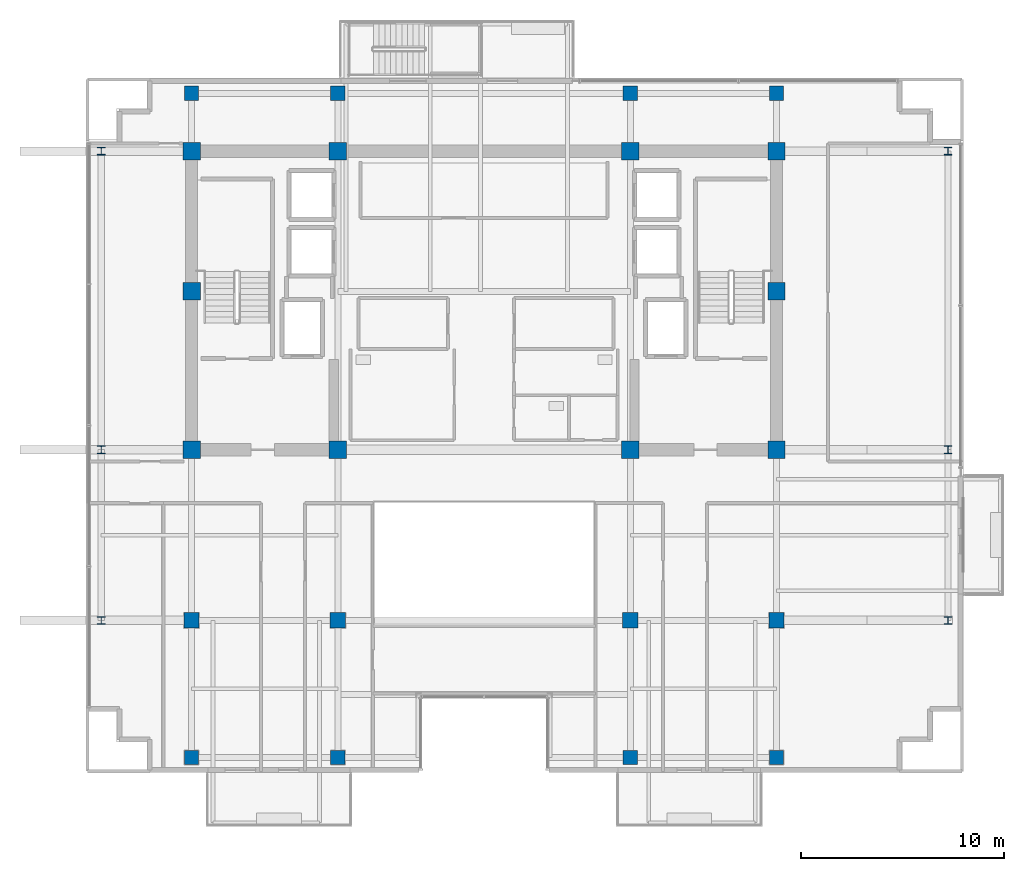
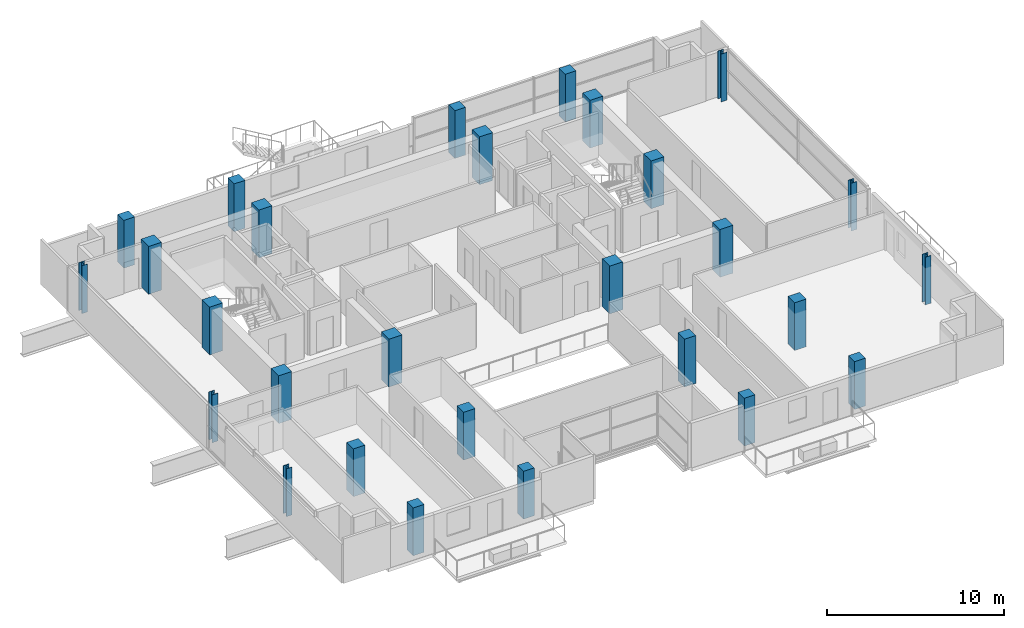
# One storey, part 1 of 23: 28 columns.
"""IFC4 building model written with IfcOpenShell, lengths in metres."""

from ifc_helpers import new_model, si_unit, direction, frame, origin, origin_2d, place, context, subcontext, project, spatial, rectangle, i_section, extrude, material, material_profile, profile_set, type_object, element, save


model = new_model("IFC4")

# Units and contexts
model_context = context("Model", 3, precision=1e-05, world=origin(), true_north=direction((0.0, 1.0)))
body_context = subcontext(model_context, "Body", "Model", "MODEL_VIEW")
ifc_project = project(units=[si_unit("LENGTHUNIT", "METRE"), si_unit("AREAUNIT", "SQUARE_METRE"), si_unit("VOLUMEUNIT", "CUBIC_METRE"), si_unit("PLANEANGLEUNIT", "RADIAN"), si_unit("MASSUNIT", "GRAM", prefix="KILO")], contexts=[model_context])

# Site, building, storey
site_placement = place(None, origin())
site = spatial("IfcSite", under=ifc_project, at=site_placement, CompositionType="ELEMENT")
building_placement = place(site_placement, origin())
building = spatial("IfcBuilding", under=site, at=building_placement, Name="Zarnakvel Exchange Tower", CompositionType="ELEMENT")
storey_placement = place(building_placement, frame((0.0, 0.0, 232.0)))
storey = spatial("IfcBuildingStorey", under=building, at=storey_placement, Name="L65", CompositionType="ELEMENT", Elevation=232.0)

# Columns
ifc_material_1 = material(Name="Concrete C50/60", Category="concrete")
ifc_material_profile_1 = material_profile(ifc_material_1, rectangle(XDim=0.85009765625, YDim=0.85009765625, at=origin_2d()))
ifc_profile_set_1 = profile_set([ifc_material_profile_1], Name="Concrete C50/60")
column_type_1 = type_object("IfcColumnType", Name="CC-03", PredefinedType="COLUMN", material=ifc_profile_set_1)
for number, where, z_axis, x_axis, name in (
    (1, (-14.39990234375, -1.199951171875, 0.0), (0.0, 0.0, 1.0), (1.0, 0.0, 0.0), "L65 Column C-4D (CC-03)"),
    (2, (-7.199951171875, -1.199951171875, 0.0), (0.0, 0.0, 1.0), (1.0, 0.0, 0.0), "L65 Column C-5D (CC-03)"),
    (3, (7.199951171875, -1.199951171875, 0.0), (0.0, 0.0, 1.0), (1.0, 0.0, 0.0), "L65 Column C-8D (CC-03)"),
    (4, (14.39990234375, -1.199951171875, 0.0), (0.0, 0.0, 1.0), (1.0, 0.0, 0.0), "L65 Column C-9D (CC-03)"),
    (5, (-14.39990234375, 6.60009765625, 0.0), (0.0, 0.0, 1.0), (1.0, 0.0, 0.0), "L65 Column C-4E (CC-03)"),
    (6, (14.39990234375, 6.60009765625, 0.0), (0.0, 0.0, 1.0), (1.0, 0.0, 0.0), "L65 Column C-9E (CC-03)"),
    (7, (-14.39990234375, 13.5, 0.0), (0.0, 0.0, 1.0), (1.0, 0.0, 0.0), "L65 Column C-4F (CC-03)"),
    (8, (-7.199951171875, 13.5, 0.0), (0.0, 0.0, 1.0), (1.0, 0.0, 0.0), "L65 Column C-5F (CC-03)"),
    (9, (7.199951171875, 13.5, 0.0), (0.0, 0.0, 1.0), (1.0, 0.0, 0.0), "L65 Column C-8F (CC-03)"),
    (10, (14.39990234375, 13.5, 0.0), (0.0, 0.0, 1.0), (1.0, 0.0, 0.0), "L65 Column C-9F (CC-03)"),
):
    element("IfcColumn", number, at=place(storey_placement, frame(where, z_axis=z_axis, x_axis=x_axis)), inside=storey, type_object=column_type_1, Name=name, PredefinedType="COLUMN", context=body_context, shape_type="SweptSolid", body=[
        extrude(rectangle(XDim=0.85009765625, YDim=0.85009765625, at=origin_2d()), origin(), (0.0, 0.0, 1.0), 3.300048828125),
    ])
ifc_material_2 = material(Name="Steel S355", Category="steel")
ifc_material_profile_2 = material_profile(ifc_material_2, i_section(OverallWidth=0.374755859375, OverallDepth=0.37451171875, WebThickness=0.0166015625, FlangeThickness=0.027099609375, FilletRadius=0.01513671875, at=origin_2d()))
ifc_profile_set_2 = profile_set([ifc_material_profile_2], Name="Steel S355")
column_type_2 = type_object("IfcColumnType", Name="SC-05", PredefinedType="COLUMN", material=ifc_profile_set_2)
for number, where, z_axis, x_axis, name in (
    (11, (-18.85009765625, -9.60009765625, 0.0), (0.0, 0.0, 1.0), (1.0, 0.0, 0.0), "L65 Column TW-C (SC-05)"),
    (12, (22.85009765625, -9.60009765625, 0.0), (0.0, 0.0, 1.0), (1.0, 0.0, 0.0), "L65 Column TE-C (SC-05)"),
    (13, (-18.85009765625, -1.199951171875, 0.0), (0.0, 0.0, 1.0), (1.0, 0.0, 0.0), "L65 Column TW-D (SC-05)"),
    (14, (22.85009765625, -1.199951171875, 0.0), (0.0, 0.0, 1.0), (1.0, 0.0, 0.0), "L65 Column TE-D (SC-05)"),
    (15, (-18.85009765625, 13.5, 0.0), (0.0, 0.0, 1.0), (1.0, 0.0, 0.0), "L65 Column TW-F (SC-05)"),
    (16, (22.85009765625, 13.5, 0.0), (0.0, 0.0, 1.0), (1.0, 0.0, 0.0), "L65 Column TE-F (SC-05)"),
):
    element("IfcColumn", number, at=place(storey_placement, frame(where, z_axis=z_axis, x_axis=x_axis)), inside=storey, type_object=column_type_2, Name=name, PredefinedType="COLUMN", context=body_context, shape_type="SweptSolid", body=[
        extrude(i_section(OverallWidth=0.374755859375, OverallDepth=0.37451171875, WebThickness=0.0166015625, FlangeThickness=0.027099609375, FilletRadius=0.01513671875, at=origin_2d()), origin(), (0.0, 0.0, 1.0), 3.300048828125),
    ])
ifc_material_profile_3 = material_profile(ifc_material_1, rectangle(XDim=0.75, YDim=0.75, at=origin_2d()))
ifc_profile_set_3 = profile_set([ifc_material_profile_3], Name="Concrete C50/60")
column_type_3 = type_object("IfcColumnType", Name="TC-04", PredefinedType="COLUMN", material=ifc_profile_set_3)
for number, where, z_axis, x_axis, name in (
    (17, (-14.39990234375, -9.60009765625, 0.0), (0.0, 0.0, 1.0), (1.0, 0.0, 0.0), "L65 Column T-4C (TC-04)"),
    (18, (-7.199951171875, -9.60009765625, 0.0), (0.0, 0.0, 1.0), (1.0, 0.0, 0.0), "L65 Column T-5C (TC-04)"),
    (19, (7.199951171875, -9.60009765625, 0.0), (0.0, 0.0, 1.0), (1.0, 0.0, 0.0), "L65 Column T-8C (TC-04)"),
    (20, (14.39990234375, -9.60009765625, 0.0), (0.0, 0.0, 1.0), (1.0, 0.0, 0.0), "L65 Column T-9C (TC-04)"),
):
    element("IfcColumn", number, at=place(storey_placement, frame(where, z_axis=z_axis, x_axis=x_axis)), inside=storey, type_object=column_type_3, Name=name, PredefinedType="COLUMN", context=body_context, shape_type="SweptSolid", body=[
        extrude(rectangle(XDim=0.75, YDim=0.75, at=origin_2d()), origin(), (0.0, 0.0, 1.0), 3.300048828125),
    ])
ifc_material_profile_4 = material_profile(ifc_material_1, rectangle(XDim=0.699951171875, YDim=0.699951171875, at=origin_2d()))
ifc_profile_set_4 = profile_set([ifc_material_profile_4], Name="Concrete C50/60")
column_type_4 = type_object("IfcColumnType", Name="TC-05", PredefinedType="COLUMN", material=ifc_profile_set_4)
for number, where, z_axis, x_axis, name in (
    (21, (-14.39990234375, -16.35009765625, 0.0), (0.0, 0.0, 1.0), (1.0, 0.0, 0.0), "L65 Column TS-4 (TC-05)"),
    (22, (-14.39990234375, 16.35009765625, 0.0), (0.0, 0.0, 1.0), (1.0, 0.0, 0.0), "L65 Column TN-4 (TC-05)"),
    (23, (-7.199951171875, -16.35009765625, 0.0), (0.0, 0.0, 1.0), (1.0, 0.0, 0.0), "L65 Column TS-5 (TC-05)"),
    (24, (-7.199951171875, 16.35009765625, 0.0), (0.0, 0.0, 1.0), (1.0, 0.0, 0.0), "L65 Column TN-5 (TC-05)"),
    (25, (7.199951171875, -16.35009765625, 0.0), (0.0, 0.0, 1.0), (1.0, 0.0, 0.0), "L65 Column TS-8 (TC-05)"),
    (26, (7.199951171875, 16.35009765625, 0.0), (0.0, 0.0, 1.0), (1.0, 0.0, 0.0), "L65 Column TN-8 (TC-05)"),
    (27, (14.39990234375, -16.35009765625, 0.0), (0.0, 0.0, 1.0), (1.0, 0.0, 0.0), "L65 Column TS-9 (TC-05)"),
    (28, (14.39990234375, 16.35009765625, 0.0), (0.0, 0.0, 1.0), (1.0, 0.0, 0.0), "L65 Column TN-9 (TC-05)"),
):
    element("IfcColumn", number, at=place(storey_placement, frame(where, z_axis=z_axis, x_axis=x_axis)), inside=storey, type_object=column_type_4, Name=name, PredefinedType="COLUMN", context=body_context, shape_type="SweptSolid", body=[
        extrude(rectangle(XDim=0.699951171875, YDim=0.699951171875, at=origin_2d()), origin(), (0.0, 0.0, 1.0), 3.300048828125),
    ])

save(model, "model.ifc")
